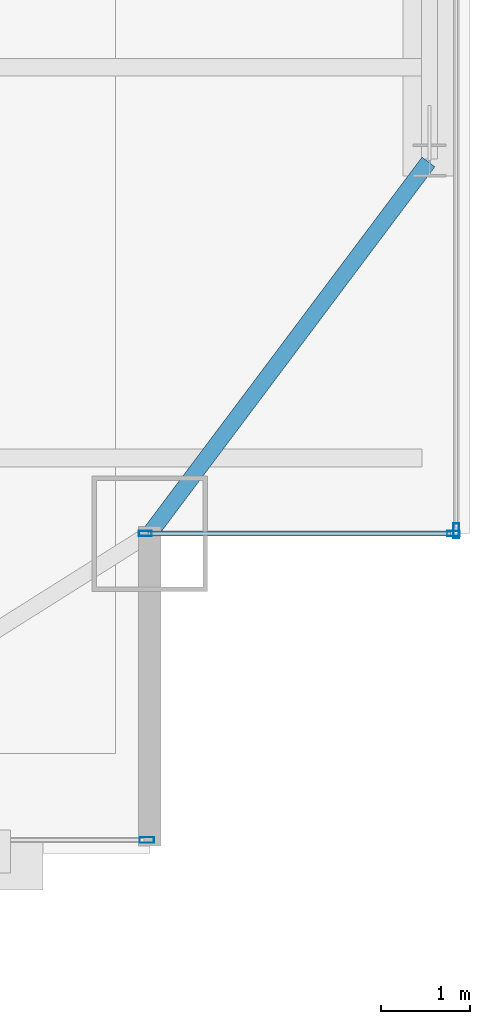
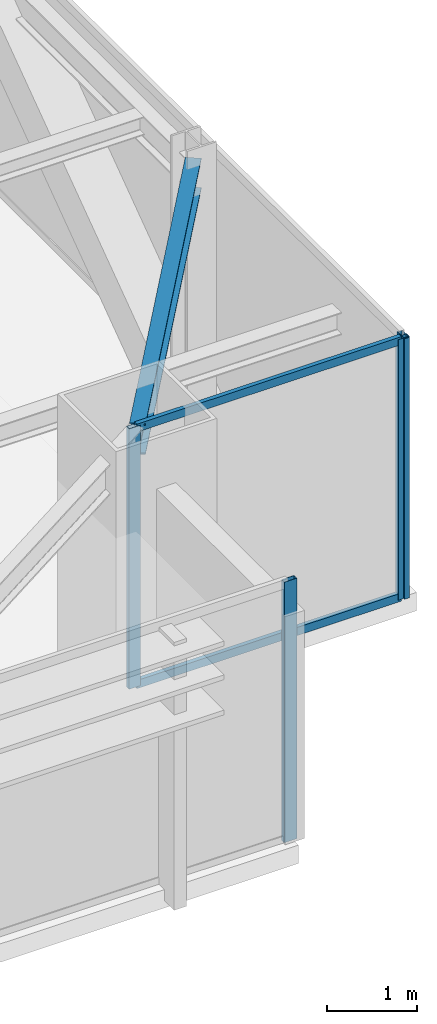
# One storey, part 16 of 34: 6 members, 1 beam, 3 elements without a shape of their own.
"""IFC4 building model written with IfcOpenShell, lengths in metres."""

from ifc_helpers import new_model, si_unit, direction, frame, origin, origin_2d, place, context, subcontext, project, spatial, hollow_rectangle, i_section, extrude, source, transform, mapped, material, layer, layer_set, material_profile, profile_set, type_object, type_shapes, element, aggregate, save


model = new_model("IFC4")

# Units and contexts
model_context = context("Model", 3, precision=1e-05, world=origin(), true_north=direction((0.0, 1.0)))
body_context = subcontext(model_context, "Body", "Model", "MODEL_VIEW")
ifc_project = project(units=[si_unit("LENGTHUNIT", "METRE"), si_unit("AREAUNIT", "SQUARE_METRE"), si_unit("VOLUMEUNIT", "CUBIC_METRE"), si_unit("PLANEANGLEUNIT", "RADIAN"), si_unit("MASSUNIT", "GRAM", prefix="KILO")], contexts=[model_context])

# Site, building, storey
site_placement = place(None, origin())
site = spatial("IfcSite", under=ifc_project, at=site_placement, CompositionType="ELEMENT")
building_placement = place(site_placement, origin())
building = spatial("IfcBuilding", under=site, at=building_placement, Name="Varnel Quay Broadcast Tower", CompositionType="ELEMENT")
storey_placement = place(building_placement, frame((0.0, 0.0, 161.0)))
storey = spatial("IfcBuildingStorey", under=building, at=storey_placement, Name="L39", CompositionType="ELEMENT", Elevation=161.0)

# Beam
ifc_material_1 = material(Name="Structural Steel CSA G40.21 350W", Category="steel")
ifc_material_profile_1 = material_profile(ifc_material_1, i_section(OverallWidth=0.180908203125, OverallDepth=0.4169921875, WebThickness=0.010986328125, FlangeThickness=0.018310546875, FilletRadius=0.011962890625, at=origin_2d()), Name="W410X85")
ifc_profile_set_1 = profile_set([ifc_material_profile_1], Name="Structural Steel CSA G40.21 350W")
beam_type = type_object("IfcBeamType", Name="Beam_W410X85", PredefinedType="SPANDREL", material=ifc_profile_set_1)
shared_shape_1 = source(origin(), body_context, "Body", "SweptSolid", [
    extrude(i_section(OverallWidth=0.180908203125, OverallDepth=0.4169921875, WebThickness=0.010986328125, FlangeThickness=0.018310546875, FilletRadius=0.011962890625, at=origin_2d()), origin(), (0.0, 0.0, 1.0), 5.2099609375),
])
type_shapes(beam_type, [shared_shape_1])
beam_placement = place(storey_placement, frame((57.412109375, 10.81591796875, 3.341552734375), z_axis=(0.6, 0.8, 0.0), x_axis=(-0.8, 0.6, 0.0)))
element("IfcBeam", 1, at=beam_placement, inside=storey, type_object=beam_type, Name="L39 East Spandrel MC-SE-TC-E1", PredefinedType="SPANDREL", context=body_context, shape_type="MappedRepresentation", body=[
    mapped(shared_shape_1, transform((0.0, 0.0, 0.0), x_axis=(1.0, 0.0, 0.0), y_axis=(0.0, 1.0, 0.0), z_axis=(0.0, 0.0, 1.0), scale=1.0)),
])

# Curtain wall, members
ifc_material_2 = material(Name="Anodised Bronze Aluminium 6063-T6", Category="aluminium")
ifc_layer_1 = layer(ifc_material_2, 0.18994140625, Name="Anodised Bronze Aluminium 6063-T6")
ifc_layer_set_1 = layer_set([ifc_layer_1], Name="Anodised Bronze Aluminium 6063-T6")
curtain_wall_type_1 = type_object("IfcCurtainWallType", Name="CW_NotchCorner", PredefinedType="NOTDEFINED", material=ifc_layer_set_1)
curtain_wall_1_placement = place(storey_placement, origin())
curtain_wall_1 = element("IfcCurtainWall", 2, at=curtain_wall_1_placement, inside=storey, type_object=curtain_wall_type_1, Name="L39 SE Notch Curtain Wall", PredefinedType="NOTDEFINED")
ifc_material_profile_2 = material_profile(ifc_material_2, hollow_rectangle(XDim=0.054931640625, YDim=0.110107421875, WallThickness=0.0029296875, at=origin_2d()), Name="ALU55X110X3")
ifc_profile_set_2 = profile_set([ifc_material_profile_2], Name="Anodised Bronze Aluminium 6063-T6")
member_type_1 = type_object("IfcMemberType", Name="Tran_CWS-04", PredefinedType="USERDEFINED", material=ifc_profile_set_2)
shared_shape_2 = source(origin(), body_context, "Body", "SweptSolid", [
    extrude(hollow_rectangle(XDim=0.054931640625, YDim=0.110107421875, WallThickness=0.0029296875, at=origin_2d()), origin(), (0.0, 0.0, 1.0), 3.41015625),
])
type_shapes(member_type_1, [shared_shape_2])
member_1_placement = place(storey_placement, frame((57.3798828125, 10.800048828125, 0.027587890625), z_axis=(1.0, 0.0, 0.0), x_axis=(0.0, 1.0, 0.0)))
member_1 = element("IfcMember", 3, at=member_1_placement, type_object=member_type_1, Name="CWS-04 transom 1.1", ObjectType="TRANSOM", PredefinedType="USERDEFINED", context=body_context, shape_type="MappedRepresentation", body=[
    mapped(shared_shape_2, transform((0.0, 0.0, 0.0), x_axis=(1.0, 0.0, 0.0), y_axis=(0.0, 1.0, 0.0), z_axis=(0.0, 0.0, 1.0), scale=1.0)),
])
member_2_placement = place(storey_placement, frame((57.3798828125, 10.800048828125, 3.5224609375), z_axis=(1.0, 0.0, 0.0), x_axis=(0.0, 1.0, 0.0)))
member_2 = element("IfcMember", 4, at=member_2_placement, type_object=member_type_1, Name="CWS-04 transom 1.2", ObjectType="TRANSOM", PredefinedType="USERDEFINED", context=body_context, shape_type="MappedRepresentation", body=[
    mapped(shared_shape_2, transform((0.0, 0.0, 0.0), x_axis=(1.0, 0.0, 0.0), y_axis=(0.0, 1.0, 0.0), z_axis=(0.0, 0.0, 1.0), scale=1.0)),
])
ifc_material_profile_3 = material_profile(ifc_material_2, hollow_rectangle(XDim=0.06005859375, YDim=0.14501953125, WallThickness=0.00341796875, at=origin_2d()), Name="ALU60X145X3.5")
ifc_profile_set_3 = profile_set([ifc_material_profile_3], Name="Anodised Bronze Aluminium 6063-T6")
member_type_2 = type_object("IfcMemberType", Name="Mull_CWS-04", PredefinedType="MULLION", material=ifc_profile_set_3)
shared_shape_3 = source(origin(), body_context, "Body", "SweptSolid", [
    extrude(hollow_rectangle(XDim=0.06005859375, YDim=0.14501953125, WallThickness=0.00341796875, at=origin_2d()), origin(), (0.0, 0.0, 1.0), 3.550048828125),
])
type_shapes(member_type_2, [shared_shape_3])
member_3_placement = place(storey_placement, frame((57.35009765625, 10.800048828125, 0.0), z_axis=(0.0, 0.0, 1.0), x_axis=(0.0, 1.0, 0.0)))
member_3 = element("IfcMember", 5, at=member_3_placement, type_object=member_type_2, Name="CWS-04 mullion 1", PredefinedType="MULLION", context=body_context, shape_type="MappedRepresentation", body=[
    mapped(shared_shape_3, transform((0.0, 0.0, 0.0), x_axis=(1.0, 0.0, 0.0), y_axis=(0.0, 1.0, 0.0), z_axis=(0.0, 0.0, 1.0), scale=1.0)),
])
member_4_placement = place(storey_placement, frame((60.820068359375, 10.800048828125, 0.0), z_axis=(0.0, 0.0, 1.0), x_axis=(0.0, 1.0, 0.0)))
member_4 = element("IfcMember", 6, at=member_4_placement, type_object=member_type_2, Name="CWS-04 mullion 2", PredefinedType="MULLION", context=body_context, shape_type="MappedRepresentation", body=[
    mapped(shared_shape_3, transform((0.0, 0.0, 0.0), x_axis=(1.0, 0.0, 0.0), y_axis=(0.0, 1.0, 0.0), z_axis=(0.0, 0.0, 1.0), scale=1.0)),
])
aggregate(curtain_wall_1, [member_3, member_4, member_1, member_2])

# Curtain wall, member
ifc_layer_2 = layer(ifc_material_2, 0.18994140625, Name="Anodised Bronze Aluminium 6063-T6")
ifc_layer_set_2 = layer_set([ifc_layer_2], Name="Anodised Bronze Aluminium 6063-T6")
curtain_wall_type_2 = type_object("IfcCurtainWallType", Name="CW_UpperTower", PredefinedType="NOTDEFINED", material=ifc_layer_set_2)
curtain_wall_2_placement = place(storey_placement, origin())
curtain_wall_2 = element("IfcCurtainWall", 7, at=curtain_wall_2_placement, inside=storey, type_object=curtain_wall_type_2, Name="L39 South Unitised Curtain Wall 3", PredefinedType="NOTDEFINED")
ifc_material_profile_4 = material_profile(ifc_material_2, hollow_rectangle(XDim=0.06494140625, YDim=0.1650390625, WallThickness=0.00341796875, at=origin_2d()), Name="ALU65X165X3.5")
ifc_profile_set_4 = profile_set([ifc_material_profile_4], Name="Anodised Bronze Aluminium 6063-T6")
member_type_3 = type_object("IfcMemberType", Name="Mull_CWS-03", PredefinedType="MULLION", material=ifc_profile_set_4)
shared_shape_4 = source(origin(), body_context, "Body", "SweptSolid", [
    extrude(hollow_rectangle(XDim=0.06494140625, YDim=0.1650390625, WallThickness=0.00341796875, at=origin_2d()), origin(), (0.0, 0.0, 1.0), 3.550048828125),
])
type_shapes(member_type_3, [shared_shape_4])
member_5_placement = place(storey_placement, frame((57.367431640625, 7.35009765625, 0.0), z_axis=(0.0, 0.0, 1.0), x_axis=(0.0, 1.0, 0.0)))
member_5 = element("IfcMember", 8, at=member_5_placement, type_object=member_type_3, Name="CWS-03 mullion 2", PredefinedType="MULLION", context=body_context, shape_type="MappedRepresentation", body=[
    mapped(shared_shape_4, transform((0.0, 0.0, 0.0), x_axis=(1.0, 0.0, 0.0), y_axis=(0.0, 1.0, 0.0), z_axis=(0.0, 0.0, 1.0), scale=1.0)),
])
aggregate(curtain_wall_2, [member_5])

curtain_wall_3_placement = place(storey_placement, origin())
curtain_wall_3 = element("IfcCurtainWall", 9, at=curtain_wall_3_placement, inside=storey, type_object=curtain_wall_type_2, Name="L39 East Unitised Curtain Wall", PredefinedType="NOTDEFINED")
member_6_placement = place(storey_placement, frame((60.85009765625, 10.83251953125, 0.0), z_axis=(0.0, 0.0, 1.0), x_axis=(-1.0, 0.0, 0.0)))
member_6 = element("IfcMember", 10, at=member_6_placement, type_object=member_type_3, Name="CWS-03 mullion 1", PredefinedType="MULLION", context=body_context, shape_type="MappedRepresentation", body=[
    mapped(shared_shape_4, transform((0.0, 0.0, 0.0), x_axis=(1.0, 0.0, 0.0), y_axis=(0.0, 1.0, 0.0), z_axis=(0.0, 0.0, 1.0), scale=1.0)),
])
aggregate(curtain_wall_3, [member_6])

save(model, "model.ifc")
